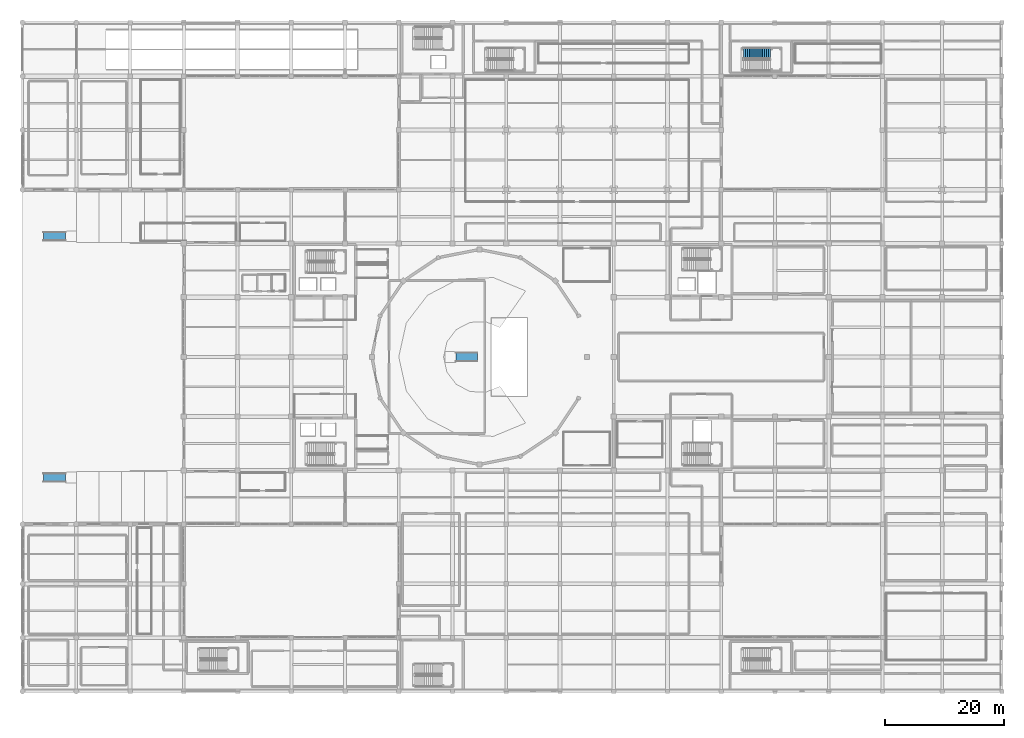
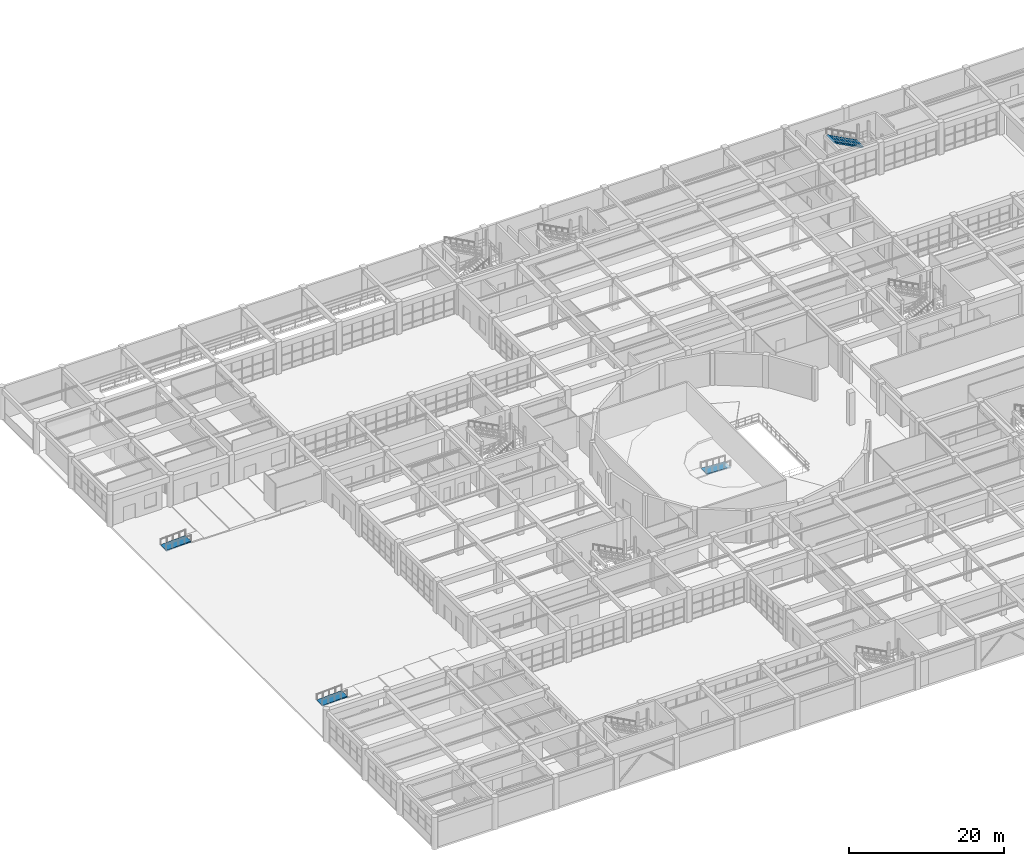
# One storey, part 115 of 128: 3 ramp flights, 1 stair flight, 4 elements without a shape of their own.
"""IFC4 building model written with IfcOpenShell, lengths in metres."""

from ifc_helpers import new_model, si_unit, direction, frame, origin, place, context, subcontext, project, spatial, polyline, outline, extrude, material, layer, layer_set, type_object, element, aggregate, save


model = new_model("IFC4")

# Units and contexts
model_context = context("Model", 3, precision=1e-05, world=origin(), true_north=direction((0.0, 1.0)))
body_context = subcontext(model_context, "Body", "Model", "MODEL_VIEW")
ifc_project = project(units=[si_unit("LENGTHUNIT", "METRE"), si_unit("AREAUNIT", "SQUARE_METRE"), si_unit("VOLUMEUNIT", "CUBIC_METRE"), si_unit("PLANEANGLEUNIT", "RADIAN"), si_unit("MASSUNIT", "GRAM", prefix="KILO")], contexts=[model_context])

# Site, building, storey
site_placement = place(None, origin())
site = spatial("IfcSite", under=ifc_project, at=site_placement, CompositionType="ELEMENT")
building_placement = place(site_placement, origin())
building = spatial("IfcBuilding", under=site, at=building_placement, Name="Miravela Opera House", CompositionType="ELEMENT")
storey_placement = place(building_placement, origin())
storey = spatial("IfcBuildingStorey", under=building, at=storey_placement, Name="L00", CompositionType="ELEMENT", Elevation=0.0)

# Stair, stair flight
ifc_material = material(Name="Concrete C35/45", Category="concrete")
stair_type = type_object("IfcStairType", Name="ARC-STAIR-WING-1680", PredefinedType="HALF_TURN_STAIR", material=ifc_material)
stair_placement = place(storey_placement, origin())
stair = element("IfcStair", 1, at=stair_placement, inside=storey, type_object=stair_type, Name="L00 East Rehearsal Wing Exit Stair ST-09", PredefinedType="HALF_TURN_STAIR")
stair_flight_type = type_object("IfcStairFlightType", Name="ARC-FLIGHT-WING-1680", PredefinedType="STRAIGHT", material=ifc_material)
stair_flight_placement = place(storey_placement, frame((125.219970703125, 106.860107421875, 2.550048828125), z_axis=(0.0, 0.0, 1.0), x_axis=(-1.0, 0.0, 0.0)))
stair_flight = element("IfcStairFlight", 2, at=stair_flight_placement, type_object=stair_flight_type, Name="ST-09 flight 2", NumberOfRisers=15, NumberOfTreads=14, PredefinedType="STRAIGHT", RiserHeight=0.17, TreadLength=0.32, context=body_context, shape_type="SweptSolid", body=[
    extrude(outline(polyline([(0.0, 0.0), (0.0, 0.169921875), (0.320068359375, 0.169921875), (0.320068359375, 0.340087890625), (0.639892578125, 0.340087890625), (0.639892578125, 0.510009765625), (0.9599609375, 0.510009765625), (0.9599609375, 0.679931640625), (1.280029296875, 0.679931640625), (1.280029296875, 0.85009765625), (1.60009765625, 0.85009765625), (1.60009765625, 1.02001953125), (1.919921875, 1.02001953125), (1.919921875, 1.18994140625), (2.239990234375, 1.18994140625), (2.239990234375, 1.360107421875), (2.56005859375, 1.360107421875), (2.56005859375, 1.530029296875), (2.8798828125, 1.530029296875), (2.8798828125, 1.699951171875), (3.199951171875, 1.699951171875), (3.199951171875, 1.8701171875), (3.52001953125, 1.8701171875), (3.52001953125, 2.0400390625), (3.840087890625, 2.0400390625), (3.840087890625, 2.2099609375), (4.159912109375, 2.2099609375), (4.159912109375, 2.3798828125), (4.47998046875, 2.3798828125), (4.47998046875, 2.550048828125), (4.47998046875, 2.210205078125), (0.319580078125, 0.0), (0.0, 0.0)])), frame((0.0, 0.919921875, 0.0), z_axis=(0.0, -1.0, 0.0), x_axis=(1.0, 0.0, 0.0)), (0.0, 0.0, 1.0), 1.840087890625),
])
aggregate(stair, [stair_flight])

# Ramp, ramp flight
ramp_type = type_object("IfcRampType", Name="ARC-RAMP-ACC-1800", PredefinedType="STRAIGHT_RUN_RAMP", material=ifc_material)
ramp_1_placement = place(storey_placement, origin())
ramp_1 = element("IfcRamp", 3, at=ramp_1_placement, inside=storey, type_object=ramp_type, Name="Forecourt North Amphitheatre Accessible Ramp", PredefinedType="STRAIGHT_RUN_RAMP")
ifc_layer = layer(ifc_material, 0.219970703125)
ifc_layer_set = layer_set([ifc_layer])
ramp_flight_type = type_object("IfcRampFlightType", Name="ARC-RFLIGHT-ACC-220", PredefinedType="STRAIGHT", material=ifc_layer_set)
ramp_flight_1_placement = place(storey_placement, frame((3.5, 76.199951171875, 0.0), z_axis=(0.0, 0.0, 1.0), x_axis=(1.0, 0.0, 0.0)))
ramp_flight_1 = element("IfcRampFlight", 4, at=ramp_flight_1_placement, type_object=ramp_flight_type, Name="Forecourt North Amphitheatre Accessible Ramp flight 1", PredefinedType="STRAIGHT", context=body_context, shape_type="SweptSolid", body=[
    extrude(outline(polyline([(0.0, 0.0), (3.699951171875, 0.179931640625), (3.699951171875, 0.0), (0.0, -0.179931640625), (0.0, 0.0)])), frame((0.0, 0.75, 0.0), z_axis=(0.0, -1.0, 0.0), x_axis=(1.0, 0.0, 0.0)), (0.0, 0.0, 1.0), 1.5),
])
aggregate(ramp_1, [ramp_flight_1])

ramp_2_placement = place(storey_placement, origin())
ramp_2 = element("IfcRamp", 5, at=ramp_2_placement, inside=storey, type_object=ramp_type, Name="Forecourt South Amphitheatre Accessible Ramp", PredefinedType="STRAIGHT_RUN_RAMP")
ramp_flight_2_placement = place(storey_placement, frame((3.5, 35.800048828125, 0.0), z_axis=(0.0, 0.0, 1.0), x_axis=(1.0, 0.0, 0.0)))
ramp_flight_2 = element("IfcRampFlight", 6, at=ramp_flight_2_placement, type_object=ramp_flight_type, Name="Forecourt South Amphitheatre Accessible Ramp flight 1", PredefinedType="STRAIGHT", context=body_context, shape_type="SweptSolid", body=[
    extrude(outline(polyline([(0.0, 0.0), (3.699951171875, 0.179931640625), (3.699951171875, 0.0), (0.0, -0.179931640625), (0.0, 0.0)])), frame((0.0, 0.75, 0.0), z_axis=(0.0, -1.0, 0.0), x_axis=(1.0, 0.0, 0.0)), (0.0, 0.0, 1.0), 1.5),
])
aggregate(ramp_2, [ramp_flight_2])

ramp_3_placement = place(storey_placement, origin())
ramp_3 = element("IfcRamp", 7, at=ramp_3_placement, inside=storey, type_object=ramp_type, Name="Auditorium Stalls Accessible Ramp", PredefinedType="STRAIGHT_RUN_RAMP")
ramp_flight_3_placement = place(storey_placement, frame((76.14990234375, 56.0, 0.0), z_axis=(0.0, 0.0, 1.0), x_axis=(-1.0, 0.0, 0.0)))
ramp_flight_3 = element("IfcRampFlight", 8, at=ramp_flight_3_placement, type_object=ramp_flight_type, Name="Auditorium Stalls Accessible Ramp flight 1", PredefinedType="STRAIGHT", context=body_context, shape_type="SweptSolid", body=[
    extrude(outline(polyline([(0.0, 0.0), (3.60009765625, 0.179931640625), (3.60009765625, 0.0), (0.0, -0.179931640625), (0.0, 0.0)])), frame((0.0, 0.75, 0.0), z_axis=(0.0, -1.0, 0.0), x_axis=(1.0, 0.0, 0.0)), (0.0, 0.0, 1.0), 1.5),
])
aggregate(ramp_3, [ramp_flight_3])

save(model, "model.ifc")
